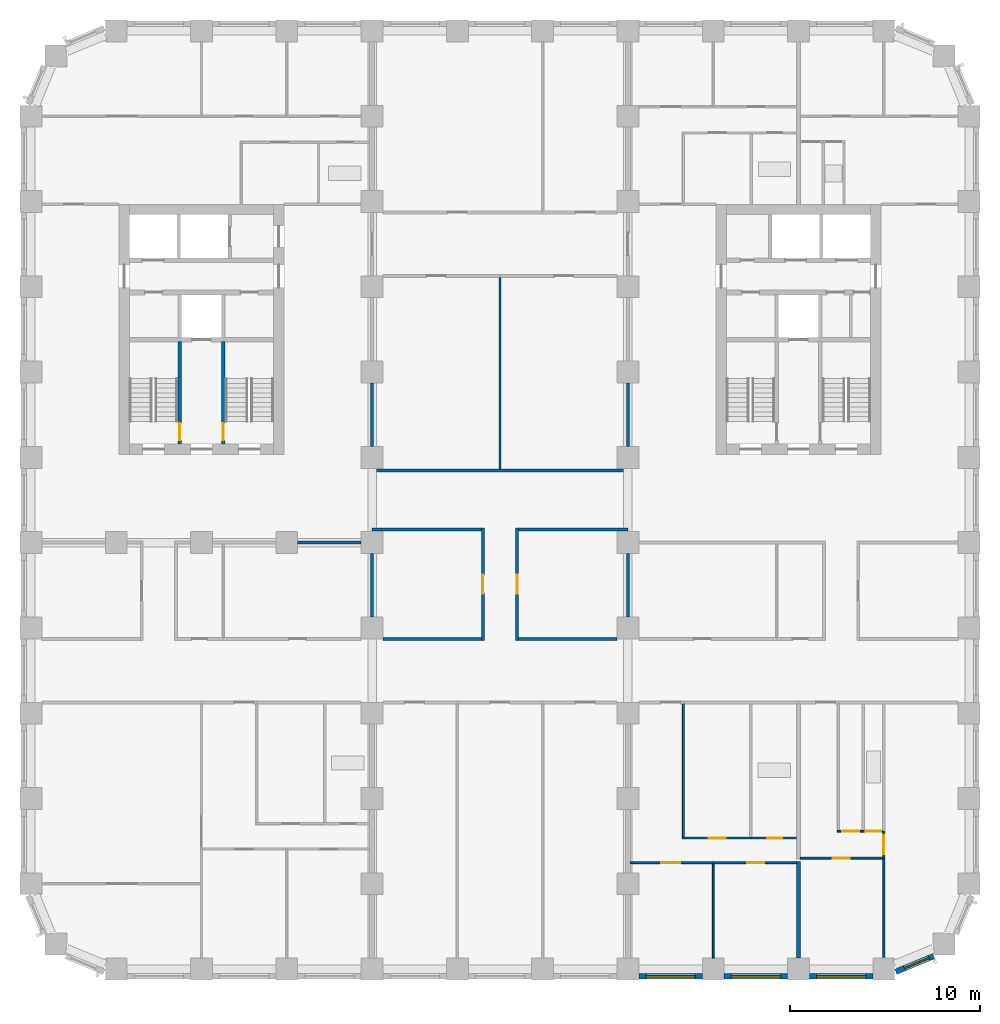
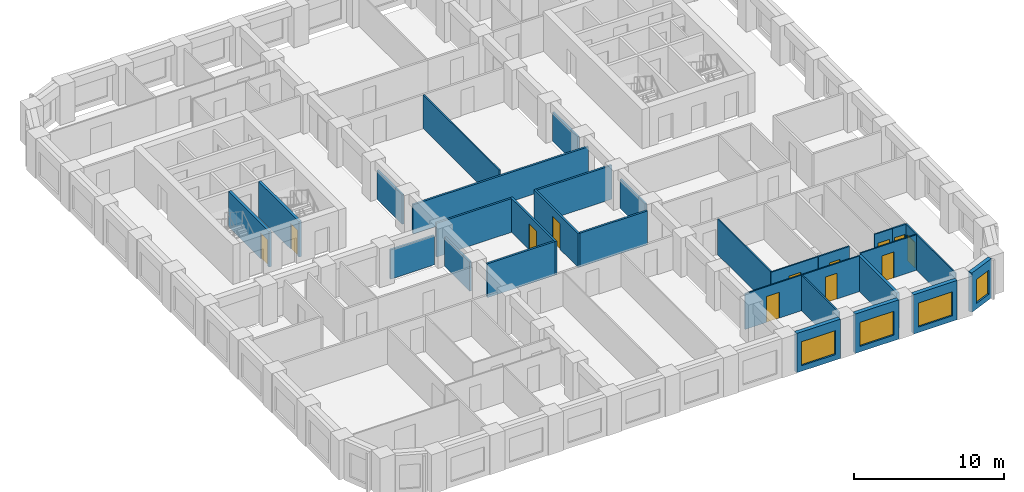
# One storey, part 4 of 12: 31 walls, 12 doors, 4 windows, 16 openings.
"""IFC4 building model written with IfcOpenShell, lengths in metres."""

from ifc_helpers import new_model, si_unit, direction, frame, frame_2d, origin, place, context, subcontext, project, spatial, rectangle, extrude, material, layer, layer_set, type_object, element, fill, save


model = new_model("IFC4")

# Units and contexts
model_context = context("Model", 3, precision=1e-05, world=origin(), true_north=direction((0.0, 1.0)))
body_context = subcontext(model_context, "Body", "Model", "MODEL_VIEW")
ifc_project = project(units=[si_unit("LENGTHUNIT", "METRE"), si_unit("AREAUNIT", "SQUARE_METRE"), si_unit("VOLUMEUNIT", "CUBIC_METRE"), si_unit("PLANEANGLEUNIT", "RADIAN"), si_unit("MASSUNIT", "GRAM", prefix="KILO")], contexts=[model_context])

# Site, building, storey
site_placement = place(None, origin())
site = spatial("IfcSite", under=ifc_project, at=site_placement, CompositionType="ELEMENT")
building_placement = place(site_placement, origin())
building = spatial("IfcBuilding", under=site, at=building_placement, Name="Girih Gate Residences", CompositionType="ELEMENT")
storey_placement = place(building_placement, frame((0.0, 0.0, 118.39990234375)))
storey = spatial("IfcBuildingStorey", under=building, at=storey_placement, Name="L33", CompositionType="ELEMENT", Elevation=118.39990234375)

# Wall, opening, door
ifc_material_1 = material(Name="Gypsum board on steel studs", Category="steel")
ifc_layer_1 = layer(ifc_material_1, 0.14990234375)
ifc_layer_set_1 = layer_set([ifc_layer_1], Name="Compartment wall 150 mm")
wall_type_1 = type_object("IfcWallType", Name="Compartment wall 150 mm", PredefinedType="PARTITIONING", material=ifc_layer_set_1)
wall_1_placement = place(storey_placement, frame((23.85009765625, 17.35009765625, 0.0), z_axis=(0.0, 0.0, 1.0), x_axis=(0.0, 1.0, 0.0)))
wall_1 = element("IfcWall", 1, at=wall_1_placement, inside=storey, type_object=wall_type_1, Name="L33 partition", PredefinedType="PARTITIONING", context=body_context, shape_type="SweptSolid", body=[
    extrude(rectangle(XDim=5.9248046875, YDim=0.14990234375, at=frame_2d((2.96240234375, 0.0))), origin(), (0.0, 0.0, 1.0), 2.75),
])
opening_1_placement = place(wall_1_placement, frame((2.46240234375, 0.0, 0.0)))
opening_1 = element("IfcOpeningElement", 2, at=opening_1_placement, cuts=wall_1, Name="Opening A33-043", PredefinedType="OPENING", context=body_context, shape_type="SweptSolid", body=[
    extrude(rectangle(XDim=1.0, YDim=2.10009765625, at=frame_2d((0.5, 1.050048828125))), frame((0.0, 0.0849609375, 0.0), z_axis=(0.0, -1.0, 0.0), x_axis=(1.0, 0.0, 0.0)), (0.0, 0.0, 1.0), 0.169921875),
])
ifc_material_2 = material(Name="Timber, fire-rated core", Category="wood")
door_type_1 = type_object("IfcDoorType", Name="Amenity room door 1000x2100 FD30S", OperationType="NOTDEFINED", PredefinedType="DOOR", material=ifc_material_2)
door_1_placement = place(opening_1_placement, origin())
door_1 = element("IfcDoor", 3, at=door_1_placement, inside=storey, type_object=door_type_1, Name="Door A33-043", OperationType="SINGLE_SWING_RIGHT", OverallHeight=2.10009765625, OverallWidth=1.0, PredefinedType="DOOR", context=body_context, shape_type="SweptSolid", body=[
    extrude(rectangle(XDim=1.0, YDim=2.10009765625, at=frame_2d((0.5, 1.050048828125))), frame((0.0, 0.02490234375, 0.0), z_axis=(0.0, -1.0, 0.0), x_axis=(1.0, 0.0, 0.0)), (0.0, 0.0, 1.0), 0.050048828125),
])
fill(opening_1, door_1)

wall_2_placement = place(storey_placement, frame((25.64990234375, 23.27490234375, 0.0), z_axis=(0.0, 0.0, 1.0), x_axis=(0.0, -1.0, 0.0)))
wall_2 = element("IfcWall", 4, at=wall_2_placement, inside=storey, type_object=wall_type_1, Name="L33 partition", PredefinedType="PARTITIONING", context=body_context, shape_type="SweptSolid", body=[
    extrude(rectangle(XDim=5.9248046875, YDim=0.14990234375, at=frame_2d((2.96240234375, 0.0))), origin(), (0.0, 0.0, 1.0), 2.75),
])
opening_2_placement = place(wall_2_placement, frame((2.46240234375, 0.0, 0.0)))
opening_2 = element("IfcOpeningElement", 5, at=opening_2_placement, cuts=wall_2, Name="Opening A33-044", PredefinedType="OPENING", context=body_context, shape_type="SweptSolid", body=[
    extrude(rectangle(XDim=1.0, YDim=2.10009765625, at=frame_2d((0.5, 1.050048828125))), frame((0.0, 0.0849609375, 0.0), z_axis=(0.0, -1.0, 0.0), x_axis=(1.0, 0.0, 0.0)), (0.0, 0.0, 1.0), 0.169921875),
])
door_2_placement = place(opening_2_placement, origin())
door_2 = element("IfcDoor", 6, at=door_2_placement, inside=storey, type_object=door_type_1, Name="Door A33-044", OperationType="SINGLE_SWING_RIGHT", OverallHeight=2.10009765625, OverallWidth=1.0, PredefinedType="DOOR", context=body_context, shape_type="SweptSolid", body=[
    extrude(rectangle(XDim=1.0, YDim=2.10009765625, at=frame_2d((0.5, 1.050048828125))), frame((0.0, 0.02490234375, 0.0), z_axis=(0.0, -1.0, 0.0), x_axis=(1.0, 0.0, 0.0)), (0.0, 0.0, 1.0), 0.050048828125),
])
fill(opening_2, door_2)

# Walls
for number, where, z_axis, x_axis, name in (
    (7, (18.574951171875, 17.425048828125, 0.0), (0.0, 0.0, 1.0), (1.0, 0.0, 0.0), "L33 partition"),
    (8, (25.72509765625, 17.425048828125, 0.0), (0.0, 0.0, 1.0), (1.0, 0.0, 0.0), "L33 partition"),
):
    element("IfcWall", number, at=place(storey_placement, frame(where, z_axis=z_axis, x_axis=x_axis)), inside=storey, type_object=wall_type_1, Name=name, PredefinedType="PARTITIONING", context=body_context, shape_type="SweptSolid", body=[
        extrude(rectangle(XDim=5.199951171875, YDim=0.14990234375, at=frame_2d((2.60009765625, 0.0))), origin(), (0.0, 0.0, 1.0), 2.75),
    ])
wall_3_placement = place(storey_placement, frame((18.0, 27.574951171875, 0.0), z_axis=(0.0, 0.0, 1.0), x_axis=(0.0, 1.0, 0.0)))
element("IfcWall", 9, at=wall_3_placement, inside=storey, type_object=wall_type_1, Name="L33 partition", PredefinedType="PARTITIONING", context=body_context, shape_type="SweptSolid", body=[
    extrude(rectangle(XDim=3.35009765625, YDim=0.14990234375, at=frame_2d((1.675048828125, 0.0))), origin(), (0.0, 0.0, 1.0), 2.380126953125),
])
wall_4_placement = place(storey_placement, frame((18.0, 26.300048828125, 0.0), z_axis=(0.0, 0.0, 1.0), x_axis=(1.0, 0.0, 0.0)))
element("IfcWall", 10, at=wall_4_placement, inside=storey, type_object=wall_type_1, Name="L33 partition", PredefinedType="PARTITIONING", context=body_context, shape_type="SweptSolid", body=[
    extrude(rectangle(XDim=13.5, YDim=0.14990234375, at=frame_2d((6.75, 0.0))), origin(), (0.0, 0.0, 1.0), 2.380126953125),
])
wall_5_placement = place(storey_placement, frame((31.5, 27.574951171875, 0.0), z_axis=(0.0, 0.0, 1.0), x_axis=(0.0, 1.0, 0.0)))
element("IfcWall", 11, at=wall_5_placement, inside=storey, type_object=wall_type_1, Name="L33 partition", PredefinedType="PARTITIONING", context=body_context, shape_type="SweptSolid", body=[
    extrude(rectangle(XDim=3.35009765625, YDim=0.14990234375, at=frame_2d((1.675048828125, 0.0))), origin(), (0.0, 0.0, 1.0), 2.380126953125),
])
wall_6_placement = place(storey_placement, frame((18.0, 23.199951171875, 0.0), z_axis=(0.0, 0.0, 1.0), x_axis=(1.0, 0.0, 0.0)))
element("IfcWall", 12, at=wall_6_placement, inside=storey, type_object=wall_type_1, Name="L33 partition", PredefinedType="PARTITIONING", context=body_context, shape_type="SweptSolid", body=[
    extrude(rectangle(XDim=5.77490234375, YDim=0.14990234375, at=frame_2d((2.887451171875, 0.0))), origin(), (0.0, 0.0, 1.0), 2.75),
])
wall_7_placement = place(storey_placement, frame((18.0, 18.574951171875, 0.0), z_axis=(0.0, 0.0, 1.0), x_axis=(0.0, 1.0, 0.0)))
element("IfcWall", 13, at=wall_7_placement, inside=storey, type_object=wall_type_1, Name="L33 partition", PredefinedType="PARTITIONING", context=body_context, shape_type="SweptSolid", body=[
    extrude(rectangle(XDim=3.35009765625, YDim=0.14990234375, at=frame_2d((1.675048828125, 0.0))), origin(), (0.0, 0.0, 1.0), 2.380126953125),
])
wall_8_placement = place(storey_placement, frame((25.72509765625, 23.199951171875, 0.0), z_axis=(0.0, 0.0, 1.0), x_axis=(1.0, 0.0, 0.0)))
element("IfcWall", 14, at=wall_8_placement, inside=storey, type_object=wall_type_1, Name="L33 partition", PredefinedType="PARTITIONING", context=body_context, shape_type="SweptSolid", body=[
    extrude(rectangle(XDim=5.77490234375, YDim=0.14990234375, at=frame_2d((2.887451171875, 0.0))), origin(), (0.0, 0.0, 1.0), 2.75),
])
for number, where, z_axis, x_axis, name in (
    (15, (31.5, 18.574951171875, 0.0), (0.0, 0.0, 1.0), (0.0, 1.0, 0.0), "L33 partition"),
    (16, (14.074951171875, 22.5, 0.0), (0.0, 0.0, 1.0), (1.0, 0.0, 0.0), "L33 partition"),
):
    element("IfcWall", number, at=place(storey_placement, frame(where, z_axis=z_axis, x_axis=x_axis)), inside=storey, type_object=wall_type_1, Name=name, PredefinedType="PARTITIONING", context=body_context, shape_type="SweptSolid", body=[
        extrude(rectangle(XDim=3.35009765625, YDim=0.14990234375, at=frame_2d((1.675048828125, 0.0))), origin(), (0.0, 0.0, 1.0), 2.380126953125),
    ])

# Wall, opening, door
ifc_layer_2 = layer(ifc_material_1, 0.10009765625)
ifc_layer_set_2 = layer_set([ifc_layer_2], Name="Partition 100 mm")
wall_type_2 = type_object("IfcWallType", Name="Partition 100 mm", PredefinedType="PARTITIONING", material=ifc_layer_set_2)
wall_9_placement = place(storey_placement, frame((44.949951171875, 5.85498046875, 0.0), z_axis=(0.0, 0.0, 1.0), x_axis=(-1.0, 0.0, 0.0)))
wall_9 = element("IfcWall", 17, at=wall_9_placement, inside=storey, type_object=wall_type_2, Name="L33 partition", PredefinedType="PARTITIONING", context=body_context, shape_type="SweptSolid", body=[
    extrude(rectangle(XDim=4.349853515625, YDim=0.10009765625, at=frame_2d((2.1748046875, 0.0))), origin(), (0.0, 0.0, 1.0), 2.900146484375),
])
opening_3_placement = place(wall_9_placement, frame((1.75, 0.0, 0.0)))
opening_3 = element("IfcOpeningElement", 18, at=opening_3_placement, cuts=wall_9, Name="Opening A33-015", PredefinedType="OPENING", context=body_context, shape_type="SweptSolid", body=[
    extrude(rectangle(XDim=0.89990234375, YDim=2.10009765625, at=frame_2d((0.449951171875, 1.050048828125))), frame((0.0, 0.06005859375, 0.0), z_axis=(0.0, -1.0, 0.0), x_axis=(1.0, 0.0, 0.0)), (0.0, 0.0, 1.0), 0.1201171875),
])
ifc_material_3 = material(Name="Timber", Category="wood")
door_type_2 = type_object("IfcDoorType", Name="Bedroom door 900x2100", OperationType="NOTDEFINED", PredefinedType="DOOR", material=ifc_material_3)
door_3_placement = place(opening_3_placement, origin())
door_3 = element("IfcDoor", 19, at=door_3_placement, inside=storey, type_object=door_type_2, Name="Door A33-015", OperationType="SINGLE_SWING_RIGHT", OverallHeight=2.10009765625, OverallWidth=0.89990234375, PredefinedType="DOOR", context=body_context, shape_type="SweptSolid", body=[
    extrude(rectangle(XDim=0.89990234375, YDim=2.10009765625, at=frame_2d((0.449951171875, 1.050048828125))), frame((0.0, 0.02490234375, 0.0), z_axis=(0.0, -1.0, 0.0), x_axis=(1.0, 0.0, 0.0)), (0.0, 0.0, 1.0), 0.050048828125),
])
fill(opening_3, door_3)

# Wall
wall_10_placement = place(storey_placement, frame((45.0, 0.622314453125, 0.0), z_axis=(0.0, 0.0, 1.0), x_axis=(0.0, 1.0, 0.0)))
element("IfcWall", 20, at=wall_10_placement, inside=storey, type_object=wall_type_2, Name="L33 partition", PredefinedType="PARTITIONING", context=body_context, shape_type="SweptSolid", body=[
    extrude(rectangle(XDim=5.232666015625, YDim=0.10009765625, at=frame_2d((2.6162109375, 0.0))), origin(), (0.0, 0.0, 1.0), 2.900146484375),
])

# Wall, opening, door
wall_11_placement = place(storey_placement, frame((42.550048828125, 7.27490234375, 0.0), z_axis=(0.0, 0.0, 1.0), x_axis=(1.0, 0.0, 0.0)))
wall_11 = element("IfcWall", 21, at=wall_11_placement, inside=storey, type_object=wall_type_2, Name="L33 partition", PredefinedType="PARTITIONING", context=body_context, shape_type="SweptSolid", body=[
    extrude(rectangle(XDim=1.359130859375, YDim=0.10009765625, at=frame_2d((0.6796875, 0.0))), origin(), (0.0, 0.0, 1.0), 2.900146484375),
])
opening_4_placement = place(wall_11_placement, frame((0.25439453125, 0.0, 0.0)))
opening_4 = element("IfcOpeningElement", 22, at=opening_4_placement, cuts=wall_11, Name="Opening A33-016", PredefinedType="OPENING", context=body_context, shape_type="SweptSolid", body=[
    extrude(rectangle(XDim=0.89990234375, YDim=2.10009765625, at=frame_2d((0.449951171875, 1.050048828125))), frame((0.0, 0.06005859375, 0.0), z_axis=(0.0, -1.0, 0.0), x_axis=(1.0, 0.0, 0.0)), (0.0, 0.0, 1.0), 0.1201171875),
])
door_type_3 = type_object("IfcDoorType", Name="Kitchen door 900x2100", OperationType="NOTDEFINED", PredefinedType="DOOR", material=ifc_material_3)
door_4_placement = place(opening_4_placement, origin())
door_4 = element("IfcDoor", 23, at=door_4_placement, inside=storey, type_object=door_type_3, Name="Door A33-016", OperationType="SINGLE_SWING_RIGHT", OverallHeight=2.10009765625, OverallWidth=0.89990234375, PredefinedType="DOOR", context=body_context, shape_type="SweptSolid", body=[
    extrude(rectangle(XDim=0.89990234375, YDim=2.10009765625, at=frame_2d((0.449951171875, 1.050048828125))), frame((0.0, 0.02490234375, 0.0), z_axis=(0.0, -1.0, 0.0), x_axis=(1.0, 0.0, 0.0)), (0.0, 0.0, 1.0), 0.050048828125),
])
fill(opening_4, door_4)

wall_12_placement = place(storey_placement, frame((45.0, 7.27490234375, 0.0), z_axis=(0.0, 0.0, 1.0), x_axis=(0.0, -1.0, 0.0)))
wall_12 = element("IfcWall", 24, at=wall_12_placement, inside=storey, type_object=wall_type_2, Name="L33 partition", PredefinedType="PARTITIONING", context=body_context, shape_type="SweptSolid", body=[
    extrude(rectangle(XDim=1.419921875, YDim=0.10009765625, at=frame_2d((0.7099609375, 0.0))), origin(), (0.0, 0.0, 1.0), 2.900146484375),
])
opening_5_placement = place(wall_12_placement, frame((0.2099609375, 0.0, 0.0)))
opening_5 = element("IfcOpeningElement", 25, at=opening_5_placement, cuts=wall_12, Name="Opening A33-017", PredefinedType="OPENING", context=body_context, shape_type="SweptSolid", body=[
    extrude(rectangle(XDim=1.0, YDim=2.10009765625, at=frame_2d((0.5, 1.050048828125))), frame((0.0, 0.06005859375, 0.0), z_axis=(0.0, -1.0, 0.0), x_axis=(1.0, 0.0, 0.0)), (0.0, 0.0, 1.0), 0.1201171875),
])
door_type_4 = type_object("IfcDoorType", Name="Living room door 1000x2100", OperationType="NOTDEFINED", PredefinedType="DOOR", material=ifc_material_3)
door_5_placement = place(opening_5_placement, origin())
door_5 = element("IfcDoor", 26, at=door_5_placement, inside=storey, type_object=door_type_4, Name="Door A33-017", OperationType="SINGLE_SWING_RIGHT", OverallHeight=2.10009765625, OverallWidth=1.0, PredefinedType="DOOR", context=body_context, shape_type="SweptSolid", body=[
    extrude(rectangle(XDim=1.0, YDim=2.10009765625, at=frame_2d((0.5, 1.050048828125))), frame((0.0, 0.02490234375, 0.0), z_axis=(0.0, -1.0, 0.0), x_axis=(1.0, 0.0, 0.0)), (0.0, 0.0, 1.0), 0.050048828125),
])
fill(opening_5, door_5)

wall_13_placement = place(storey_placement, frame((40.39990234375, 5.614990234375, 0.0), z_axis=(0.0, 0.0, 1.0), x_axis=(-1.0, 0.0, 0.0)))
wall_13 = element("IfcWall", 27, at=wall_13_placement, inside=storey, type_object=wall_type_2, Name="L33 partition", PredefinedType="PARTITIONING", context=body_context, shape_type="SweptSolid", body=[
    extrude(rectangle(XDim=4.39990234375, YDim=0.10009765625, at=frame_2d((2.199951171875, 0.0))), origin(), (0.0, 0.0, 1.0), 2.900146484375),
])
opening_6_placement = place(wall_13_placement, frame((1.699951171875, 0.0, 0.0)))
opening_6 = element("IfcOpeningElement", 28, at=opening_6_placement, cuts=wall_13, Name="Opening A33-020", PredefinedType="OPENING", context=body_context, shape_type="SweptSolid", body=[
    extrude(rectangle(XDim=0.89990234375, YDim=2.10009765625, at=frame_2d((0.449951171875, 1.050048828125))), frame((0.0, 0.06005859375, 0.0), z_axis=(0.0, -1.0, 0.0), x_axis=(1.0, 0.0, 0.0)), (0.0, 0.0, 1.0), 0.1201171875),
])
door_6_placement = place(opening_6_placement, origin())
door_6 = element("IfcDoor", 29, at=door_6_placement, inside=storey, type_object=door_type_2, Name="Door A33-020", OperationType="SINGLE_SWING_LEFT", OverallHeight=2.10009765625, OverallWidth=0.89990234375, PredefinedType="DOOR", context=body_context, shape_type="SweptSolid", body=[
    extrude(rectangle(XDim=0.89990234375, YDim=2.10009765625, at=frame_2d((0.449951171875, 1.050048828125))), frame((0.0, 0.02490234375, 0.0), z_axis=(0.0, -1.0, 0.0), x_axis=(1.0, 0.0, 0.0)), (0.0, 0.0, 1.0), 0.050048828125),
])
fill(opening_6, door_6)

# Walls
wall_14_placement = place(storey_placement, frame((36.0, 0.574951171875, 0.0), z_axis=(0.0, 0.0, 1.0), x_axis=(0.0, 1.0, 0.0)))
element("IfcWall", 30, at=wall_14_placement, inside=storey, type_object=wall_type_2, Name="L33 partition", PredefinedType="PARTITIONING", context=body_context, shape_type="SweptSolid", body=[
    extrude(rectangle(XDim=4.989990234375, YDim=0.10009765625, at=frame_2d((2.4951171875, 0.0))), origin(), (0.0, 0.0, 1.0), 2.900146484375),
])
wall_15_placement = place(storey_placement, frame((34.425048828125, 6.965087890625, 0.0), z_axis=(0.0, 0.0, 1.0), x_axis=(0.0, 1.0, 0.0)))
element("IfcWall", 31, at=wall_15_placement, inside=storey, type_object=wall_type_2, Name="L33 partition", PredefinedType="PARTITIONING", context=body_context, shape_type="SweptSolid", body=[
    extrude(rectangle(XDim=7.034912109375, YDim=0.10009765625, at=frame_2d((3.517578125, 0.0))), origin(), (0.0, 0.0, 1.0), 2.900146484375),
])

# Wall, opening, door
wall_16_placement = place(storey_placement, frame((34.375, 6.9150390625, 0.0), z_axis=(0.0, 0.0, 1.0), x_axis=(1.0, 0.0, 0.0)))
wall_16 = element("IfcWall", 32, at=wall_16_placement, inside=storey, type_object=wall_type_2, Name="L33 partition", PredefinedType="PARTITIONING", context=body_context, shape_type="SweptSolid", body=[
    extrude(rectangle(XDim=3.613037109375, YDim=0.10009765625, at=frame_2d((1.806640625, 0.0))), origin(), (0.0, 0.0, 1.0), 2.900146484375),
])
opening_7_placement = place(wall_16_placement, frame((1.381591796875, 0.0, 0.0)))
opening_7 = element("IfcOpeningElement", 33, at=opening_7_placement, cuts=wall_16, Name="Opening A33-021", PredefinedType="OPENING", context=body_context, shape_type="SweptSolid", body=[
    extrude(rectangle(XDim=0.89990234375, YDim=2.10009765625, at=frame_2d((0.449951171875, 1.050048828125))), frame((0.0, 0.06005859375, 0.0), z_axis=(0.0, -1.0, 0.0), x_axis=(1.0, 0.0, 0.0)), (0.0, 0.0, 1.0), 0.1201171875),
])
door_7_placement = place(opening_7_placement, origin())
door_7 = element("IfcDoor", 34, at=door_7_placement, inside=storey, type_object=door_type_3, Name="Door A33-021", OperationType="SINGLE_SWING_RIGHT", OverallHeight=2.10009765625, OverallWidth=0.89990234375, PredefinedType="DOOR", context=body_context, shape_type="SweptSolid", body=[
    extrude(rectangle(XDim=0.89990234375, YDim=2.10009765625, at=frame_2d((0.449951171875, 1.050048828125))), frame((0.0, 0.02490234375, 0.0), z_axis=(0.0, -1.0, 0.0), x_axis=(1.0, 0.0, 0.0)), (0.0, 0.0, 1.0), 0.050048828125),
])
fill(opening_7, door_7)

wall_17_placement = place(storey_placement, frame((36.0, 5.614990234375, 0.0), z_axis=(0.0, 0.0, 1.0), x_axis=(-1.0, 0.0, 0.0)))
wall_17 = element("IfcWall", 35, at=wall_17_placement, inside=storey, type_object=wall_type_2, Name="L33 partition", PredefinedType="PARTITIONING", context=body_context, shape_type="SweptSolid", body=[
    extrude(rectangle(XDim=4.375, YDim=0.10009765625, at=frame_2d((2.1875, 0.0))), origin(), (0.0, 0.0, 1.0), 2.900146484375),
])
opening_8_placement = place(wall_17_placement, frame((1.75, 0.0, 0.0)))
opening_8 = element("IfcOpeningElement", 36, at=opening_8_placement, cuts=wall_17, Name="Opening A33-022", PredefinedType="OPENING", context=body_context, shape_type="SweptSolid", body=[
    extrude(rectangle(XDim=1.0, YDim=2.10009765625, at=frame_2d((0.5, 1.050048828125))), frame((0.0, 0.06005859375, 0.0), z_axis=(0.0, -1.0, 0.0), x_axis=(1.0, 0.0, 0.0)), (0.0, 0.0, 1.0), 0.1201171875),
])
door_8_placement = place(opening_8_placement, origin())
door_8 = element("IfcDoor", 37, at=door_8_placement, inside=storey, type_object=door_type_4, Name="Door A33-022", OperationType="SINGLE_SWING_RIGHT", OverallHeight=2.10009765625, OverallWidth=1.0, PredefinedType="DOOR", context=body_context, shape_type="SweptSolid", body=[
    extrude(rectangle(XDim=1.0, YDim=2.10009765625, at=frame_2d((0.5, 1.050048828125))), frame((0.0, 0.02490234375, 0.0), z_axis=(0.0, -1.0, 0.0), x_axis=(1.0, 0.0, 0.0)), (0.0, 0.0, 1.0), 0.050048828125),
])
fill(opening_8, door_8)

# Walls
wall_18_placement = place(storey_placement, frame((24.75, 26.375, 0.0), z_axis=(0.0, 0.0, 1.0), x_axis=(0.0, 1.0, 0.0)))
element("IfcWall", 38, at=wall_18_placement, inside=storey, type_object=wall_type_2, Name="L33 partition", PredefinedType="PARTITIONING", context=body_context, shape_type="SweptSolid", body=[
    extrude(rectangle(XDim=10.125, YDim=0.10009765625, at=frame_2d((5.0625, 0.0))), origin(), (0.0, 0.0, 1.0), 2.75),
])
ifc_layer_3 = layer(ifc_material_1, 0.199951171875)
ifc_layer_set_3 = layer_set([ifc_layer_3], Name="Party wall 200 mm")
wall_type_3 = type_object("IfcWallType", Name="Party wall 200 mm", PredefinedType="PARTITIONING", material=ifc_layer_set_3)
wall_19_placement = place(storey_placement, frame((40.5, 0.574951171875, 0.0), z_axis=(0.0, 0.0, 1.0), x_axis=(0.0, 1.0, 0.0)))
element("IfcWall", 39, at=wall_19_placement, inside=storey, type_object=wall_type_3, Name="L33 partition", PredefinedType="PARTITIONING", context=body_context, shape_type="SweptSolid", body=[
    extrude(rectangle(XDim=5.090087890625, YDim=0.199951171875, at=frame_2d((2.544921875, 0.0))), origin(), (0.0, 0.0, 1.0), 2.900146484375),
])

# Wall, opening, window
ifc_material_4 = material(Name="Precast concrete C50/60", Category="concrete")
ifc_layer_4 = layer(ifc_material_4, 0.080078125, Name="Outer leaf")
ifc_material_5 = material(Name="Rigid PIR insulation")
ifc_layer_5 = layer(ifc_material_5, 0.14990234375, Name="Insulation")
ifc_material_6 = material(Name="Precast concrete C40/50", Category="concrete")
ifc_layer_6 = layer(ifc_material_6, 0.070068359375, Name="Inner leaf")
ifc_layer_set_4 = layer_set([ifc_layer_4, ifc_layer_5, ifc_layer_6], Name="Precast concrete C50/60 external wall 300")
wall_type_4 = type_object("IfcWallType", Name="Precast concrete C50/60 external wall 300", PredefinedType="SOLIDWALL", material=ifc_layer_set_4)
wall_20_placement = place(storey_placement, frame((35.425048828125, -0.375, 0.0), z_axis=(0.0, 0.0, 1.0), x_axis=(-1.0, 0.0, 0.0)))
wall_20 = element("IfcWall", 40, at=wall_20_placement, inside=storey, type_object=wall_type_4, Name="External wall S0045_0000.6", PredefinedType="SOLIDWALL", context=body_context, shape_type="SweptSolid", body=[
    extrude(rectangle(XDim=3.35009765625, YDim=0.300048828125, at=frame_2d((1.675048828125, 0.0))), origin(), (0.0, 0.0, 1.0), 3.2001953125),
])
opening_9_placement = place(wall_20_placement, frame((0.375, 0.0, 0.449951171875)))
opening_9 = element("IfcOpeningElement", 41, at=opening_9_placement, cuts=wall_20, Name="Opening W-1A", PredefinedType="OPENING", context=body_context, shape_type="SweptSolid", body=[
    extrude(rectangle(XDim=2.60009765625, YDim=1.949951171875, at=frame_2d((1.300048828125, 0.97509765625))), frame((0.0, 0.159912109375, 0.0), z_axis=(0.0, -1.0, 0.0), x_axis=(1.0, 0.0, 0.0)), (0.0, 0.0, 1.0), 0.320068359375),
])
ifc_material_7 = material(Name="Double glazing in aluminium frame", Category="aluminium")
window_type_1 = type_object("IfcWindowType", Name="Window W-1A 2600x1950", PartitioningType="SINGLE_PANEL", PredefinedType="WINDOW", material=ifc_material_7)
window_1_placement = place(opening_9_placement, origin())
window_1 = element("IfcWindow", 42, at=window_1_placement, inside=storey, type_object=window_type_1, Name="Window W-1A S0045_0000.6", OverallHeight=1.949951171875, OverallWidth=2.60009765625, PartitioningType="SINGLE_PANEL", PredefinedType="WINDOW", context=body_context, shape_type="SweptSolid", body=[
    extrude(rectangle(XDim=2.60009765625, YDim=1.949951171875, at=frame_2d((1.300048828125, 0.97509765625))), frame((0.0, 0.030029296875, 0.0), z_axis=(0.0, -1.0, 0.0), x_axis=(1.0, 0.0, 0.0)), (0.0, 0.0, 1.0), 0.06005859375),
])
fill(opening_9, window_1)

wall_21_placement = place(storey_placement, frame((39.925048828125, -0.375, 0.0), z_axis=(0.0, 0.0, 1.0), x_axis=(-1.0, 0.0, 0.0)))
wall_21 = element("IfcWall", 43, at=wall_21_placement, inside=storey, type_object=wall_type_4, Name="External wall S0045_0000.7", PredefinedType="SOLIDWALL", context=body_context, shape_type="SweptSolid", body=[
    extrude(rectangle(XDim=3.35009765625, YDim=0.300048828125, at=frame_2d((1.675048828125, 0.0))), origin(), (0.0, 0.0, 1.0), 3.2001953125),
])
opening_10_placement = place(wall_21_placement, frame((0.375, 0.0, 0.449951171875)))
opening_10 = element("IfcOpeningElement", 44, at=opening_10_placement, cuts=wall_21, Name="Opening W-1A", PredefinedType="OPENING", context=body_context, shape_type="SweptSolid", body=[
    extrude(rectangle(XDim=2.60009765625, YDim=1.949951171875, at=frame_2d((1.300048828125, 0.97509765625))), frame((0.0, 0.159912109375, 0.0), z_axis=(0.0, -1.0, 0.0), x_axis=(1.0, 0.0, 0.0)), (0.0, 0.0, 1.0), 0.320068359375),
])
window_2_placement = place(opening_10_placement, origin())
window_2 = element("IfcWindow", 45, at=window_2_placement, inside=storey, type_object=window_type_1, Name="Window W-1A S0045_0000.7", OverallHeight=1.949951171875, OverallWidth=2.60009765625, PartitioningType="SINGLE_PANEL", PredefinedType="WINDOW", context=body_context, shape_type="SweptSolid", body=[
    extrude(rectangle(XDim=2.60009765625, YDim=1.949951171875, at=frame_2d((1.300048828125, 0.97509765625))), frame((0.0, 0.030029296875, 0.0), z_axis=(0.0, -1.0, 0.0), x_axis=(1.0, 0.0, 0.0)), (0.0, 0.0, 1.0), 0.06005859375),
])
fill(opening_10, window_2)

wall_22_placement = place(storey_placement, frame((44.425048828125, -0.375, 0.0), z_axis=(0.0, 0.0, 1.0), x_axis=(-1.0, 0.0, 0.0)))
wall_22 = element("IfcWall", 46, at=wall_22_placement, inside=storey, type_object=wall_type_4, Name="External wall S0045_0000.8", PredefinedType="SOLIDWALL", context=body_context, shape_type="SweptSolid", body=[
    extrude(rectangle(XDim=3.35009765625, YDim=0.300048828125, at=frame_2d((1.675048828125, 0.0))), origin(), (0.0, 0.0, 1.0), 3.2001953125),
])
opening_11_placement = place(wall_22_placement, frame((0.375, 0.0, 0.449951171875)))
opening_11 = element("IfcOpeningElement", 47, at=opening_11_placement, cuts=wall_22, Name="Opening W-1A", PredefinedType="OPENING", context=body_context, shape_type="SweptSolid", body=[
    extrude(rectangle(XDim=2.60009765625, YDim=1.949951171875, at=frame_2d((1.300048828125, 0.97509765625))), frame((0.0, 0.159912109375, 0.0), z_axis=(0.0, -1.0, 0.0), x_axis=(1.0, 0.0, 0.0)), (0.0, 0.0, 1.0), 0.320068359375),
])
window_3_placement = place(opening_11_placement, origin())
window_3 = element("IfcWindow", 48, at=window_3_placement, inside=storey, type_object=window_type_1, Name="Window W-1A S0045_0000.8", OverallHeight=1.949951171875, OverallWidth=2.60009765625, PartitioningType="SINGLE_PANEL", PredefinedType="WINDOW", context=body_context, shape_type="SweptSolid", body=[
    extrude(rectangle(XDim=2.60009765625, YDim=1.949951171875, at=frame_2d((1.300048828125, 0.97509765625))), frame((0.0, 0.030029296875, 0.0), z_axis=(0.0, -1.0, 0.0), x_axis=(1.0, 0.0, 0.0)), (0.0, 0.0, 1.0), 0.06005859375),
])
fill(opening_11, window_3)

wall_23_placement = place(storey_placement, frame((47.63134765625, 0.68408203125, 0.0), z_axis=(0.0, 0.0, 1.0), x_axis=(-0.923862802911, -0.382723818695, 0.0)))
wall_23 = element("IfcWall", 49, at=wall_23_placement, inside=storey, type_object=wall_type_4, Name="External wall SE0450_0000.0", PredefinedType="SOLIDWALL", context=body_context, shape_type="SweptSolid", body=[
    extrude(rectangle(XDim=2.163818359375, YDim=0.300048828125, at=frame_2d((1.08203125, 0.0))), origin(), (0.0, 0.0, 1.0), 3.2001953125),
])
opening_12_placement = place(wall_23_placement, frame((0.270751953125, 0.0, 0.449951171875)))
opening_12 = element("IfcOpeningElement", 50, at=opening_12_placement, cuts=wall_23, Name="Opening W-2D", PredefinedType="OPENING", context=body_context, shape_type="SweptSolid", body=[
    extrude(rectangle(XDim=1.39990234375, YDim=1.949951171875, at=frame_2d((0.699951171875, 0.97509765625))), frame((0.0, 0.159912109375, 0.0), z_axis=(0.0, -1.0, 0.0), x_axis=(1.0, 0.0, 0.0)), (0.0, 0.0, 1.0), 0.320068359375),
])
window_type_2 = type_object("IfcWindowType", Name="Window W-2D 1400x1950", PartitioningType="SINGLE_PANEL", PredefinedType="WINDOW", material=ifc_material_7)
window_4_placement = place(opening_12_placement, origin())
window_4 = element("IfcWindow", 51, at=window_4_placement, inside=storey, type_object=window_type_2, Name="Window W-2D SE0450_0000.0", OverallHeight=1.949951171875, OverallWidth=1.39990234375, PartitioningType="SINGLE_PANEL", PredefinedType="WINDOW", context=body_context, shape_type="SweptSolid", body=[
    extrude(rectangle(XDim=1.39990234375, YDim=1.949951171875, at=frame_2d((0.699951171875, 0.97509765625))), frame((0.0, 0.030029296875, 0.0), z_axis=(0.0, -1.0, 0.0), x_axis=(1.0, 0.0, 0.0)), (0.0, 0.0, 1.0), 0.06005859375),
])
fill(opening_12, window_4)

# Wall, opening, door
ifc_material_8 = material(Name="Concrete C40/50", Category="concrete")
ifc_layer_7 = layer(ifc_material_8, 0.199951171875)
ifc_layer_set_5 = layer_set([ifc_layer_7], Name="Shaft wall 200")
wall_type_5 = type_object("IfcWallType", Name="Shaft wall 200", PredefinedType="SOLIDWALL", material=ifc_layer_set_5)
wall_24_placement = place(storey_placement, frame((7.85009765625, 27.699951171875, 0.0), z_axis=(0.0, 0.0, 1.0), x_axis=(0.0, 1.0, 0.0)))
wall_24 = element("IfcWall", 52, at=wall_24_placement, inside=storey, type_object=wall_type_5, Name="L33 W core wall V1a", PredefinedType="SOLIDWALL", context=body_context, shape_type="SweptSolid", body=[
    extrude(rectangle(XDim=5.400146484375, YDim=0.199951171875, at=frame_2d((2.7001953125, 0.0))), origin(), (0.0, 0.0, 1.0), 2.900146484375),
])
opening_13_placement = place(wall_24_placement, frame((0.199951171875, 0.0, 0.0)))
opening_13 = element("IfcOpeningElement", 53, at=opening_13_placement, cuts=wall_24, Name="Opening D-L33-W-001", PredefinedType="OPENING", context=body_context, shape_type="SweptSolid", body=[
    extrude(rectangle(XDim=0.89990234375, YDim=2.10009765625, at=frame_2d((0.449951171875, 1.050048828125))), frame((0.0, 0.10986328125, 0.0), z_axis=(0.0, -1.0, 0.0), x_axis=(1.0, 0.0, 0.0)), (0.0, 0.0, 1.0), 0.219970703125),
])
ifc_material_9 = material(Name="Painted steel, fire-resisting", Category="steel")
door_type_5 = type_object("IfcDoorType", Name="Fire door 900x2100", OperationType="SINGLE_SWING_LEFT", PredefinedType="DOOR", material=ifc_material_9)
door_9_placement = place(opening_13_placement, origin())
door_9 = element("IfcDoor", 54, at=door_9_placement, inside=storey, type_object=door_type_5, Name="L33 W door stair 1 to firefighting lobby", OperationType="SINGLE_SWING_LEFT", OverallHeight=2.10009765625, OverallWidth=0.89990234375, PredefinedType="DOOR", context=body_context, shape_type="SweptSolid", body=[
    extrude(rectangle(XDim=0.89990234375, YDim=2.10009765625, at=frame_2d((0.449951171875, 1.050048828125))), frame((0.0, 0.02490234375, 0.0), z_axis=(0.0, -1.0, 0.0), x_axis=(1.0, 0.0, 0.0)), (0.0, 0.0, 1.0), 0.050048828125),
])
fill(opening_13, door_9)

wall_25_placement = place(storey_placement, frame((10.14990234375, 27.699951171875, 0.0), z_axis=(0.0, 0.0, 1.0), x_axis=(0.0, 1.0, 0.0)))
wall_25 = element("IfcWall", 55, at=wall_25_placement, inside=storey, type_object=wall_type_5, Name="L33 W core wall V2a", PredefinedType="SOLIDWALL", context=body_context, shape_type="SweptSolid", body=[
    extrude(rectangle(XDim=5.400146484375, YDim=0.199951171875, at=frame_2d((2.7001953125, 0.0))), origin(), (0.0, 0.0, 1.0), 2.900146484375),
])
opening_14_placement = place(wall_25_placement, frame((0.199951171875, 0.0, 0.0)))
opening_14 = element("IfcOpeningElement", 56, at=opening_14_placement, cuts=wall_25, Name="Opening D-L33-W-002", PredefinedType="OPENING", context=body_context, shape_type="SweptSolid", body=[
    extrude(rectangle(XDim=0.89990234375, YDim=2.10009765625, at=frame_2d((0.449951171875, 1.050048828125))), frame((0.0, 0.10986328125, 0.0), z_axis=(0.0, -1.0, 0.0), x_axis=(1.0, 0.0, 0.0)), (0.0, 0.0, 1.0), 0.219970703125),
])
door_10_placement = place(opening_14_placement, origin())
door_10 = element("IfcDoor", 57, at=door_10_placement, inside=storey, type_object=door_type_5, Name="L33 W door stair 2 to firefighting lobby", OperationType="SINGLE_SWING_LEFT", OverallHeight=2.10009765625, OverallWidth=0.89990234375, PredefinedType="DOOR", context=body_context, shape_type="SweptSolid", body=[
    extrude(rectangle(XDim=0.89990234375, YDim=2.10009765625, at=frame_2d((0.449951171875, 1.050048828125))), frame((0.0, 0.02490234375, 0.0), z_axis=(0.0, -1.0, 0.0), x_axis=(1.0, 0.0, 0.0)), (0.0, 0.0, 1.0), 0.050048828125),
])
fill(opening_14, door_10)

ifc_layer_8 = layer(ifc_material_1, 0.125)
ifc_layer_set_6 = layer_set([ifc_layer_8], Name="Wet room wall 125 mm")
wall_type_6 = type_object("IfcWallType", Name="Wet room wall 125 mm", PredefinedType="PARTITIONING", material=ifc_layer_set_6)
wall_26_placement = place(storey_placement, frame((43.9091796875, 7.27490234375, 0.0), z_axis=(0.0, 0.0, 1.0), x_axis=(1.0, 0.0, 0.0)))
wall_26 = element("IfcWall", 58, at=wall_26_placement, inside=storey, type_object=wall_type_6, Name="L33 partition", PredefinedType="PARTITIONING", context=body_context, shape_type="SweptSolid", body=[
    extrude(rectangle(XDim=1.0283203125, YDim=0.125, at=frame_2d((0.51416015625, 0.0))), origin(), (0.0, 0.0, 1.0), 2.900146484375),
])
opening_15_placement = place(wall_26_placement, frame((0.1455078125, 0.0, 0.0)))
opening_15 = element("IfcOpeningElement", 59, at=opening_15_placement, cuts=wall_26, Name="Opening A33-014", PredefinedType="OPENING", context=body_context, shape_type="SweptSolid", body=[
    extrude(rectangle(XDim=0.800048828125, YDim=2.10009765625, at=frame_2d((0.39990234375, 1.050048828125))), frame((0.0, 0.072509765625, 0.0), z_axis=(0.0, -1.0, 0.0), x_axis=(1.0, 0.0, 0.0)), (0.0, 0.0, 1.0), 0.14501953125),
])
door_type_6 = type_object("IfcDoorType", Name="Bathroom door 800x2100", OperationType="NOTDEFINED", PredefinedType="DOOR", material=ifc_material_3)
door_11_placement = place(opening_15_placement, origin())
door_11 = element("IfcDoor", 60, at=door_11_placement, inside=storey, type_object=door_type_6, Name="Door A33-014", OperationType="SINGLE_SWING_RIGHT", OverallHeight=2.10009765625, OverallWidth=0.800048828125, PredefinedType="DOOR", context=body_context, shape_type="SweptSolid", body=[
    extrude(rectangle(XDim=0.800048828125, YDim=2.10009765625, at=frame_2d((0.39990234375, 1.050048828125))), frame((0.0, 0.02490234375, 0.0), z_axis=(0.0, -1.0, 0.0), x_axis=(1.0, 0.0, 0.0)), (0.0, 0.0, 1.0), 0.050048828125),
])
fill(opening_15, door_11)

wall_27_placement = place(storey_placement, frame((37.988037109375, 6.9150390625, 0.0), z_axis=(0.0, 0.0, 1.0), x_axis=(1.0, 0.0, 0.0)))
wall_27 = element("IfcWall", 61, at=wall_27_placement, inside=storey, type_object=wall_type_6, Name="L33 partition", PredefinedType="PARTITIONING", context=body_context, shape_type="SweptSolid", body=[
    extrude(rectangle(XDim=2.411865234375, YDim=0.125, at=frame_2d((1.2060546875, 0.0))), origin(), (0.0, 0.0, 1.0), 2.900146484375),
])
opening_16_placement = place(wall_27_placement, frame((0.85595703125, 0.0, 0.0)))
opening_16 = element("IfcOpeningElement", 62, at=opening_16_placement, cuts=wall_27, Name="Opening A33-019", PredefinedType="OPENING", context=body_context, shape_type="SweptSolid", body=[
    extrude(rectangle(XDim=0.800048828125, YDim=2.10009765625, at=frame_2d((0.39990234375, 1.050048828125))), frame((0.0, 0.072509765625, 0.0), z_axis=(0.0, -1.0, 0.0), x_axis=(1.0, 0.0, 0.0)), (0.0, 0.0, 1.0), 0.14501953125),
])
door_12_placement = place(opening_16_placement, origin())
door_12 = element("IfcDoor", 63, at=door_12_placement, inside=storey, type_object=door_type_6, Name="Door A33-019", OperationType="SINGLE_SWING_RIGHT", OverallHeight=2.10009765625, OverallWidth=0.800048828125, PredefinedType="DOOR", context=body_context, shape_type="SweptSolid", body=[
    extrude(rectangle(XDim=0.800048828125, YDim=2.10009765625, at=frame_2d((0.39990234375, 1.050048828125))), frame((0.0, 0.02490234375, 0.0), z_axis=(0.0, -1.0, 0.0), x_axis=(1.0, 0.0, 0.0)), (0.0, 0.0, 1.0), 0.050048828125),
])
fill(opening_16, door_12)

save(model, "model.ifc")
